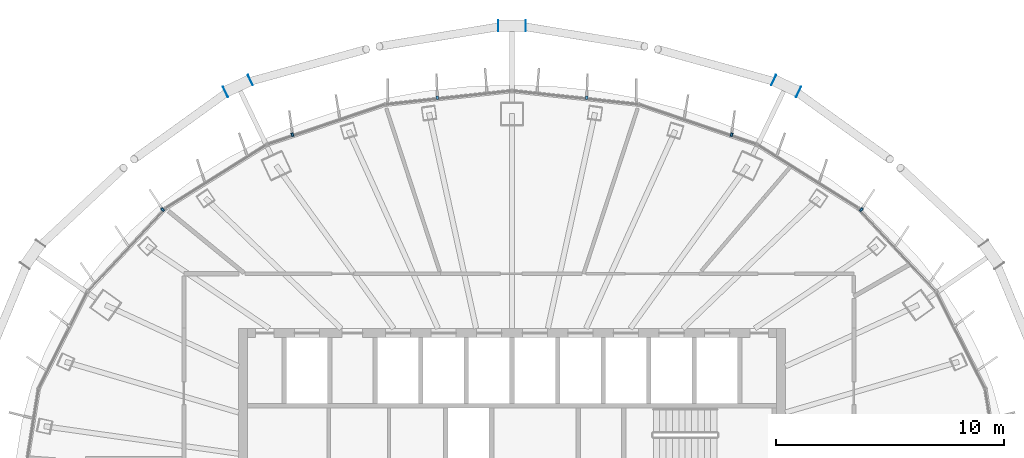
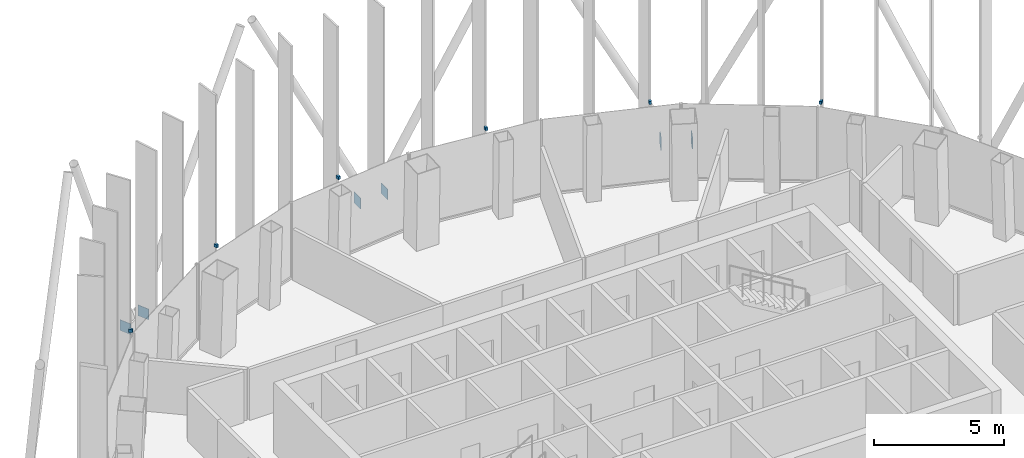
# One storey, part 16 of 20: 12 discrete accessories.
"""IFC4 building model written with IfcOpenShell, lengths in metres."""

from ifc_helpers import new_model, si_unit, direction, frame, origin, origin_2d, place, context, subcontext, project, spatial, rectangle, extrude, material, layer, layer_set, type_object, element, save


model = new_model("IFC4")

# Units and contexts
model_context = context("Model", 3, precision=1e-05, world=origin(), true_north=direction((0.0, 1.0)))
body_context = subcontext(model_context, "Body", "Model", "MODEL_VIEW")
ifc_project = project(units=[si_unit("LENGTHUNIT", "METRE"), si_unit("AREAUNIT", "SQUARE_METRE"), si_unit("VOLUMEUNIT", "CUBIC_METRE"), si_unit("PLANEANGLEUNIT", "RADIAN"), si_unit("MASSUNIT", "GRAM", prefix="KILO")], contexts=[model_context])

# Site, building, storey
site_placement = place(None, origin())
site = spatial("IfcSite", under=ifc_project, at=site_placement, CompositionType="ELEMENT")
building_placement = place(site_placement, origin())
building = spatial("IfcBuilding", under=site, at=building_placement, Name="Siaravel Broadcast Tower", CompositionType="ELEMENT")
storey_placement = place(building_placement, frame((0.0, 0.0, 228.199951171875)))
storey = spatial("IfcBuildingStorey", under=building, at=storey_placement, Name="L55", CompositionType="ELEMENT", Elevation=228.199951171875)

# Discrete accessories
ifc_material_1 = material(Name="Stainless steel 316", Category="steel")
discrete_accessory_type_1 = type_object("IfcDiscreteAccessoryType", Name="Stainless steel fin bracket", PredefinedType="USERDEFINED", material=ifc_material_1)
for number, where, z_axis, x_axis, name in (
    (1, (15.329833984375, 12.413330078125, 3.67529296875), (0.0, 0.0, 1.0), (0.729806802, 0.683653445, 0.0), "Fin bracket L55-07"),
    (2, (9.633056640625, 15.7041015625, 3.67529296875), (0.0, 0.0, 1.0), (0.321300635, 0.946977245, 0.0), "Fin bracket L55-10"),
    (3, (3.2783203125, 17.328369140625, 3.67529296875), (0.0, 0.0, 1.0), (0.107218518, 0.99423548, 0.0), "Fin bracket L55-13"),
    (4, (-3.2783203125, 17.328369140625, 3.67529296875), (0.0, 0.0, 1.0), (-0.107218518, 0.99423548, 0.0), "Fin bracket L55-16"),
    (5, (-9.633056640625, 15.7041015625, 3.67529296875), (0.0, 0.0, 1.0), (-0.321300635, 0.946977245, 0.0), "Fin bracket L55-19"),
    (6, (-15.329833984375, 12.413330078125, 3.67529296875), (0.0, 0.0, 1.0), (-0.729806802, 0.683653445, 0.0), "Fin bracket L55-22"),
):
    element("IfcDiscreteAccessory", number, at=place(storey_placement, frame(where, z_axis=z_axis, x_axis=x_axis)), inside=storey, type_object=discrete_accessory_type_1, Name=name, ObjectType="BRACKET", PredefinedType="USERDEFINED", context=body_context, shape_type="SweptSolid", body=[
        extrude(rectangle(XDim=0.159912109375, YDim=0.10009765625, at=origin_2d()), origin(), (0.0, 0.0, 1.0), 0.139892578125),
    ])
ifc_material_2 = material(Name="Steel S355", Category="steel")
ifc_layer = layer(ifc_material_2, 0.02001953125)
ifc_layer_set = layer_set([ifc_layer], Name="Steel S355")
discrete_accessory_type_2 = type_object("IfcDiscreteAccessoryType", Name="Steel end plate 20 mm", PredefinedType="USERDEFINED", material=ifc_layer_set)
for number, where, z_axis, x_axis, name in (
    (7, (11.484130859375, 18.098388671875, -0.449951171875), (0.0, 0.0, 1.0), (-0.904006456, 0.427518805, 0.0), "End plate R23 station 12A"),
    (8, (12.5751953125, 17.58251953125, -0.449951171875), (0.0, 0.0, 1.0), (-0.904006456, 0.427518805, 0.0), "End plate R23 station 12B"),
    (9, (-0.603515625, 20.486328125, -0.449951171875), (0.0, 0.0, 1.0), (-1.0, 0.0, 0.0), "End plate R23 station 18A"),
    (10, (0.603515625, 20.486328125, -0.449951171875), (0.0, 0.0, 1.0), (-1.0, 0.0, 0.0), "End plate R23 station 18B"),
    (11, (-12.5751953125, 17.58251953125, -0.449951171875), (0.0, 0.0, 1.0), (-0.904006456, -0.427518805, 0.0), "End plate R23 station 24A"),
    (12, (-11.484130859375, 18.098388671875, -0.449951171875), (0.0, 0.0, 1.0), (-0.904006456, -0.427518805, 0.0), "End plate R23 station 24B"),
):
    element("IfcDiscreteAccessory", number, at=place(storey_placement, frame(where, z_axis=z_axis, x_axis=x_axis)), inside=storey, type_object=discrete_accessory_type_2, Name=name, ObjectType="END PLATE", PredefinedType="USERDEFINED", context=body_context, shape_type="SweptSolid", body=[
        extrude(rectangle(XDim=0.02001953125, YDim=0.5, at=origin_2d()), origin(), (0.0, 0.0, 1.0), 0.5),
    ])

save(model, "model.ifc")
